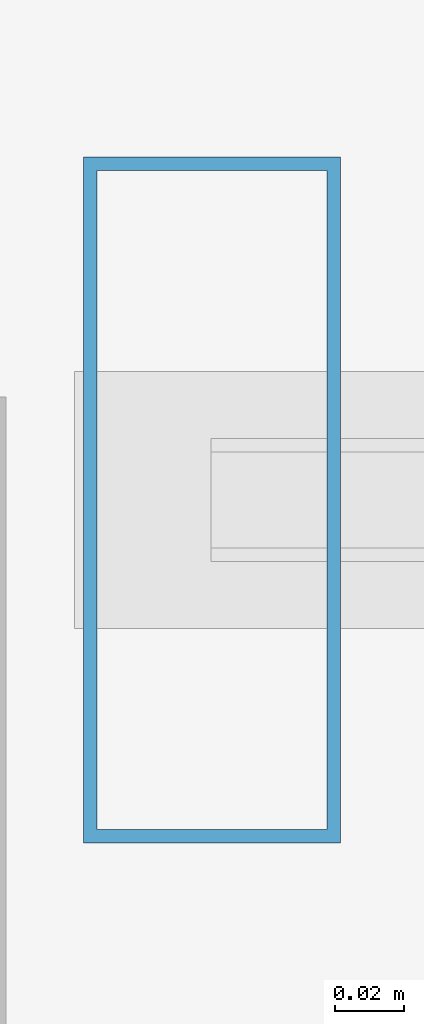
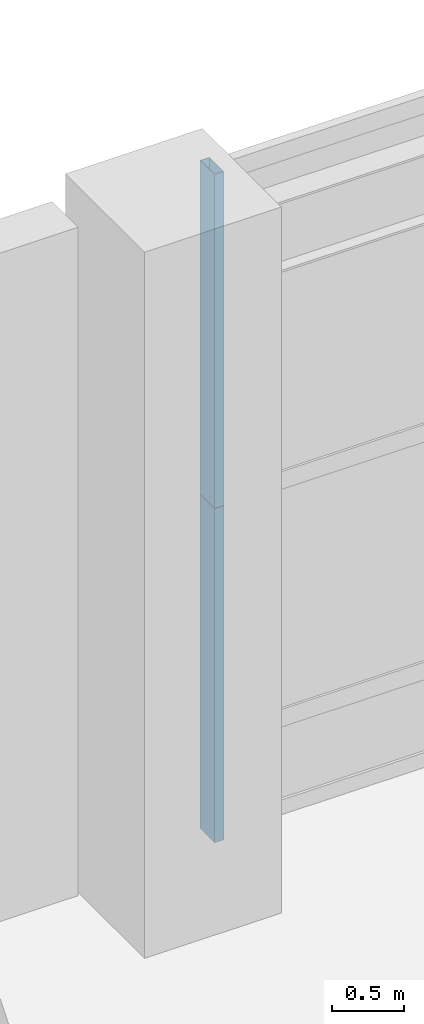
# One storey, part 19 of 39: 2 members, 1 element without a shape of its own.
"""IFC4 building model written with IfcOpenShell, lengths in metres."""

from ifc_helpers import new_model, si_unit, direction, frame, origin, origin_2d, place, context, subcontext, project, spatial, hollow_rectangle, extrude, source, transform, mapped, material, layer, layer_set, material_profile, profile_set, type_object, element, aggregate, save


model = new_model("IFC4")

# Units and contexts
model_context = context("Model", 3, precision=1e-05, world=origin(), true_north=direction((0.0, 1.0)))
body_context = subcontext(model_context, "Body", "Model", "MODEL_VIEW")
ifc_project = project(units=[si_unit("LENGTHUNIT", "METRE"), si_unit("AREAUNIT", "SQUARE_METRE"), si_unit("VOLUMEUNIT", "CUBIC_METRE"), si_unit("PLANEANGLEUNIT", "RADIAN"), si_unit("MASSUNIT", "GRAM", prefix="KILO"), si_unit("THERMODYNAMICTEMPERATUREUNIT", "KELVIN"), si_unit("POWERUNIT", "WATT")], contexts=[model_context])

# Site, building, storey
site_placement = place(None, origin())
site = spatial("IfcSite", under=ifc_project, at=site_placement, CompositionType="ELEMENT")
building_placement = place(site_placement, origin())
building = spatial("IfcBuilding", under=site, at=building_placement, Name="Yuzanri Waterfront Tower", CompositionType="ELEMENT")
storey_placement = place(building_placement, frame((0.0, 0.0, 19.800048828125)))
storey = spatial("IfcBuildingStorey", under=building, at=storey_placement, Name="L05", CompositionType="ELEMENT", Elevation=19.800048828125)

# Curtain wall, members
ifc_material_1 = material(Name="Anodized Architectural Bronze", Category="metal")
ifc_layer = layer(ifc_material_1, 0.159912109375)
ifc_layer_set = layer_set([ifc_layer], Name="Anodized Architectural Bronze")
curtain_wall_type = type_object("IfcCurtainWallType", Name="Anodized Bronze Podium Waterfront Double-Height Unitized Curtain Wall 8400", PredefinedType="NOTDEFINED", material=ifc_layer_set)
curtain_wall_placement = place(storey_placement, origin())
curtain_wall = element("IfcCurtainWall", 1, at=curtain_wall_placement, inside=storey, type_object=curtain_wall_type, Name="L05 Curtain Wall CW-L05-N1", PredefinedType="NOTDEFINED")
ifc_material_2 = material(Name="Anodized Architectural Bronze", Category="metal")
ifc_material_profile = material_profile(ifc_material_2, hollow_rectangle(XDim=0.074951171875, YDim=0.199951171875, WallThickness=0.00390625, at=origin_2d()), Name="CWM 75x200")
ifc_profile_set = profile_set([ifc_material_profile], Name="Anodized Architectural Bronze")
member_type = type_object("IfcMemberType", Name="Anodized Bronze Primary Curtain-Wall Mullion 75x200", PredefinedType="MULLION", material=ifc_profile_set)
shared_shape = source(origin(), body_context, "Body", "SweptSolid", [
    extrude(hollow_rectangle(XDim=0.074951171875, YDim=0.199951171875, WallThickness=0.00390625, at=origin_2d()), origin(), (0.0, 0.0, 1.0), 2.837890625),
])
member_1_placement = place(storey_placement, frame((16.110107421875, 49.6201171875, 0.0), z_axis=(0.0, 0.0, 1.0), x_axis=(1.0, 0.0, 0.0)))
member_1 = element("IfcMember", 2, at=member_1_placement, type_object=member_type, Name="CW-L05-N1 Lower Mullion 00", PredefinedType="MULLION", context=body_context, shape_type="MappedRepresentation", body=[
    mapped(shared_shape, transform((0.0, 0.0, 0.0), scale=1.0)),
])
member_2_placement = place(storey_placement, frame((16.110107421875, 49.6201171875, 2.842041015625), z_axis=(0.0, 0.0, 1.0), x_axis=(1.0, 0.0, 0.0)))
member_2 = element("IfcMember", 3, at=member_2_placement, type_object=member_type, Name="CW-L05-N1 Upper Mullion 00", PredefinedType="MULLION", context=body_context, shape_type="MappedRepresentation", body=[
    mapped(shared_shape, transform((0.0, 0.0, 0.0), scale=1.0)),
])
aggregate(curtain_wall, [member_1, member_2])

save(model, "model.ifc")
